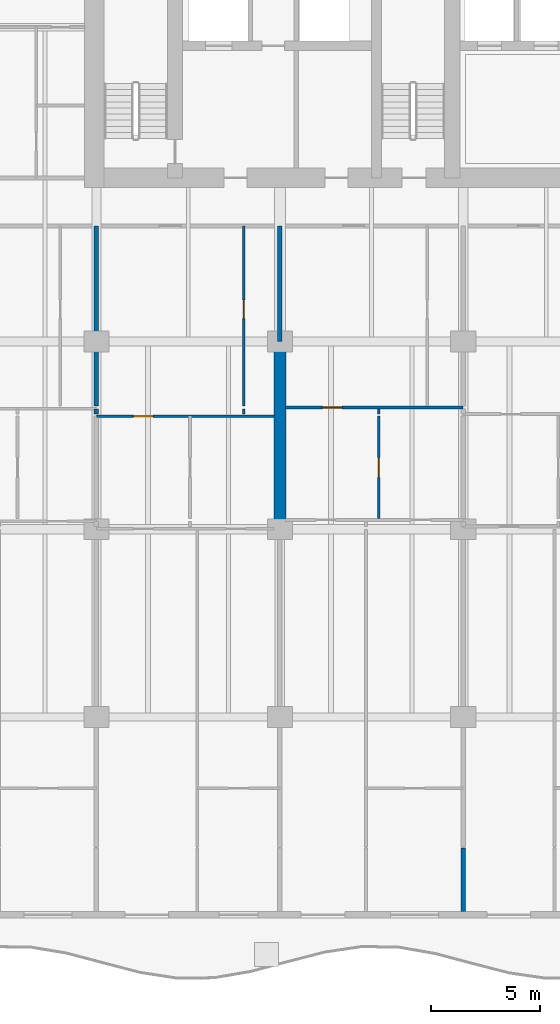
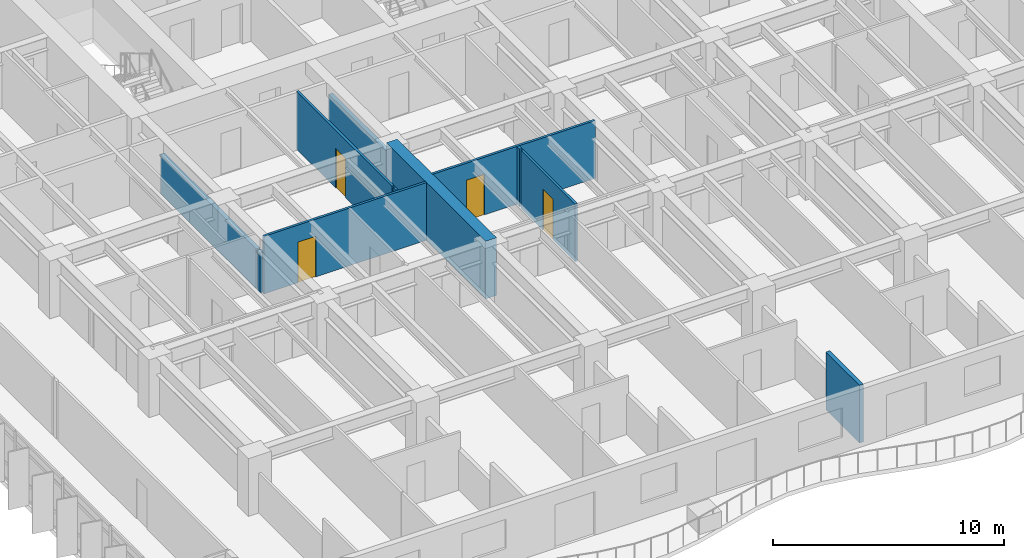
# One storey, part 7 of 18: 11 walls, 4 doors, 4 openings.
"""IFC4 building model written with IfcOpenShell, lengths in metres."""

from ifc_helpers import new_model, si_unit, direction, frame, frame_2d, origin, place, context, subcontext, project, spatial, rectangle, extrude, material, layer, layer_set, type_object, element, fill, save


model = new_model("IFC4")

# Units and contexts
model_context = context("Model", 3, precision=1e-05, world=origin(), true_north=direction((0.0, 1.0)))
body_context = subcontext(model_context, "Body", "Model", "MODEL_VIEW")
ifc_project = project(units=[si_unit("LENGTHUNIT", "METRE"), si_unit("AREAUNIT", "SQUARE_METRE"), si_unit("VOLUMEUNIT", "CUBIC_METRE"), si_unit("PLANEANGLEUNIT", "RADIAN"), si_unit("MASSUNIT", "GRAM", prefix="KILO")], contexts=[model_context])

# Site, building, storey
site_placement = place(None, origin())
site = spatial("IfcSite", under=ifc_project, at=site_placement, CompositionType="ELEMENT")
building_placement = place(site_placement, origin())
building = spatial("IfcBuilding", under=site, at=building_placement, Name="Caelmar Bay Residences", CompositionType="ELEMENT")
storey_placement = place(building_placement, frame((0.0, 0.0, 69.60009765625)))
storey = spatial("IfcBuildingStorey", under=building, at=storey_placement, Name="L18", CompositionType="ELEMENT", Elevation=69.60009765625)

# Walls
ifc_material_1 = material(Name="Concrete f'c 70 MPa (10,000 psi)", Category="concrete")
ifc_layer_1 = layer(ifc_material_1, 0.550048828125)
ifc_layer_set_1 = layer_set([ifc_layer_1], Name="Concrete f'c 70 MPa (10,000 psi)")
wall_type_1 = type_object("IfcWallType", Name="SW-XSLB-550", PredefinedType="SHEAR", material=ifc_layer_set_1)
wall_1_placement = place(storey_placement, frame((26.699951171875, 20.800048828125, 0.0), z_axis=(0.0, 0.0, 1.0), x_axis=(0.0, 1.0, 0.0)))
element("IfcWall", 1, at=wall_1_placement, inside=storey, type_object=wall_type_1, Name="L18 Transverse Cross-Slab Shear Wall W5", PredefinedType="SHEAR", context=body_context, shape_type="SweptSolid", body=[
    extrude(rectangle(XDim=8.599853515625, YDim=0.550048828125, at=frame_2d((4.2998046875, 0.0))), origin(), (0.0, 0.0, 1.0), 3.0498046875),
])
ifc_material_2 = material(Name="Acoustic metal-stud gypsum partition 120 mm")
ifc_layer_2 = layer(ifc_material_2, 0.1201171875)
ifc_layer_set_2 = layer_set([ifc_layer_2], Name="Acoustic metal-stud gypsum partition 120 mm")
wall_type_2 = type_object("IfcWallType", Name="W-PRT-120", PredefinedType="PARTITIONING", material=ifc_layer_set_2)
wall_2_placement = place(storey_placement, frame((25.050048828125, 26.080078125, 0.0), z_axis=(0.0, 0.0, 1.0), x_axis=(0.0, 1.0, 0.0)))
element("IfcWall", 2, at=wall_2_placement, inside=storey, type_object=wall_type_2, Name="L18 Partition Wall V033", PredefinedType="PARTITIONING", context=body_context, shape_type="SweptSolid", body=[
    extrude(rectangle(XDim=0.239990234375, YDim=0.1201171875, at=frame_2d((0.1201171875, 0.0))), origin(), (0.0, 0.0, 1.0), 3.0498046875),
])

# Wall, opening, door
wall_3_placement = place(storey_placement, frame((25.050048828125, 26.43994140625, 0.0), z_axis=(0.0, 0.0, 1.0), x_axis=(0.0, 1.0, 0.0)))
wall_3 = element("IfcWall", 3, at=wall_3_placement, inside=storey, type_object=wall_type_2, Name="L18 Partition Wall V034", PredefinedType="PARTITIONING", context=body_context, shape_type="SweptSolid", body=[
    extrude(rectangle(XDim=8.260009765625, YDim=0.1201171875, at=frame_2d((4.1298828125, 0.0))), origin(), (0.0, 0.0, 1.0), 3.0498046875),
])
opening_1_placement = place(wall_3_placement, frame((4.0048828125, 0.0, 0.0)))
opening_1 = element("IfcOpeningElement", 4, at=opening_1_placement, cuts=wall_3, Name="Opening D-L18-128", PredefinedType="OPENING", context=body_context, shape_type="SweptSolid", body=[
    extrude(rectangle(XDim=0.85009765625, YDim=2.10009765625, at=frame_2d((0.425048828125, 1.050048828125))), frame((0.0, 0.070068359375, 0.0), z_axis=(0.0, -1.0, 0.0), x_axis=(1.0, 0.0, 0.0)), (0.0, 0.0, 1.0), 0.14013671875),
])
ifc_material_3 = material(Name="Solid walnut timber interior door leaf and frame", Category="wood")
ifc_layer_3 = layer(ifc_material_3, 0.050048828125)
ifc_layer_set_3 = layer_set([ifc_layer_3], Name="Solid walnut timber interior door leaf and frame")
door_type_1 = type_object("IfcDoorType", Name="D-BATH-850", OperationType="NOTDEFINED", PredefinedType="DOOR", material=ifc_layer_set_3)
door_1_placement = place(opening_1_placement, origin())
door_1 = element("IfcDoor", 5, at=door_1_placement, inside=storey, type_object=door_type_1, Name="L18 Residence 02 Bathroom Door", OperationType="SINGLE_SWING_LEFT", OverallHeight=2.10009765625, OverallWidth=0.85009765625, PredefinedType="DOOR", context=body_context, shape_type="SweptSolid", body=[
    extrude(rectangle(XDim=0.85009765625, YDim=2.10009765625, at=frame_2d((0.425048828125, 1.050048828125))), frame((0.0, 0.02490234375, 0.0), z_axis=(0.0, -1.0, 0.0), x_axis=(1.0, 0.0, 0.0)), (0.0, 0.0, 1.0), 0.050048828125),
])
fill(opening_1, door_1)

wall_4_placement = place(storey_placement, frame((31.236083984375, 21.2900390625, 0.0), z_axis=(0.0, 0.0, 1.0), x_axis=(0.0, 1.0, 0.0)))
wall_4 = element("IfcWall", 6, at=wall_4_placement, inside=storey, type_object=wall_type_2, Name="L18 Partition Wall V044", PredefinedType="PARTITIONING", context=body_context, shape_type="SweptSolid", body=[
    extrude(rectangle(XDim=4.68994140625, YDim=0.1201171875, at=frame_2d((2.344970703125, 0.0))), origin(), (0.0, 0.0, 1.0), 3.0498046875),
])
opening_2_placement = place(wall_4_placement, frame((1.89501953125, 0.0, 0.0)))
opening_2 = element("IfcOpeningElement", 7, at=opening_2_placement, cuts=wall_4, Name="Opening D-L18-137", PredefinedType="OPENING", context=body_context, shape_type="SweptSolid", body=[
    extrude(rectangle(XDim=0.89990234375, YDim=2.14990234375, at=frame_2d((0.449951171875, 1.074951171875))), frame((0.0, 0.070068359375, 0.0), z_axis=(0.0, -1.0, 0.0), x_axis=(1.0, 0.0, 0.0)), (0.0, 0.0, 1.0), 0.14013671875),
])
ifc_layer_4 = layer(ifc_material_3, 0.050048828125)
ifc_layer_set_4 = layer_set([ifc_layer_4], Name="Solid walnut timber interior door leaf and frame")
door_type_2 = type_object("IfcDoorType", Name="D-ROOM-900", OperationType="NOTDEFINED", PredefinedType="DOOR", material=ifc_layer_set_4)
door_2_placement = place(opening_2_placement, origin())
door_2 = element("IfcDoor", 8, at=door_2_placement, inside=storey, type_object=door_type_2, Name="L18 Residence 03 Study Door", OperationType="SINGLE_SWING_RIGHT", OverallHeight=2.14990234375, OverallWidth=0.89990234375, PredefinedType="DOOR", context=body_context, shape_type="SweptSolid", body=[
    extrude(rectangle(XDim=0.89990234375, YDim=2.14990234375, at=frame_2d((0.449951171875, 1.074951171875))), frame((0.0, 0.02490234375, 0.0), z_axis=(0.0, -1.0, 0.0), x_axis=(1.0, 0.0, 0.0)), (0.0, 0.0, 1.0), 0.050048828125),
])
fill(opening_2, door_2)

# Wall
wall_5_placement = place(storey_placement, frame((31.236083984375, 26.080078125, 0.0), z_axis=(0.0, 0.0, 1.0), x_axis=(0.0, 1.0, 0.0)))
element("IfcWall", 9, at=wall_5_placement, inside=storey, type_object=wall_type_2, Name="L18 Partition Wall V045", PredefinedType="PARTITIONING", context=body_context, shape_type="SweptSolid", body=[
    extrude(rectangle(XDim=0.239990234375, YDim=0.1201171875, at=frame_2d((0.1201171875, 0.0))), origin(), (0.0, 0.0, 1.0), 3.0498046875),
])

# Wall, opening, door
wall_6_placement = place(storey_placement, frame((18.300048828125, 25.97998046875, 0.0), z_axis=(0.0, 0.0, 1.0), x_axis=(1.0, 0.0, 0.0)))
wall_6 = element("IfcWall", 10, at=wall_6_placement, inside=storey, type_object=wall_type_2, Name="L18 Partition Wall H131", PredefinedType="PARTITIONING", context=body_context, shape_type="SweptSolid", body=[
    extrude(rectangle(XDim=8.1298828125, YDim=0.1201171875, at=frame_2d((4.06494140625, 0.0))), origin(), (0.0, 0.0, 1.0), 3.0498046875),
])
opening_3_placement = place(wall_6_placement, frame((1.693115234375, 0.0, 0.0)))
opening_3 = element("IfcOpeningElement", 11, at=opening_3_placement, cuts=wall_6, Name="Opening D-L18-129", PredefinedType="OPENING", context=body_context, shape_type="SweptSolid", body=[
    extrude(rectangle(XDim=0.89990234375, YDim=2.14990234375, at=frame_2d((0.449951171875, 1.074951171875))), frame((0.0, 0.070068359375, 0.0), z_axis=(0.0, -1.0, 0.0), x_axis=(1.0, 0.0, 0.0)), (0.0, 0.0, 1.0), 0.14013671875),
])
door_3_placement = place(opening_3_placement, origin())
door_3 = element("IfcDoor", 12, at=door_3_placement, inside=storey, type_object=door_type_2, Name="L18 Residence 02 Kitchen Door", OperationType="SINGLE_SWING_RIGHT", OverallHeight=2.14990234375, OverallWidth=0.89990234375, PredefinedType="DOOR", context=body_context, shape_type="SweptSolid", body=[
    extrude(rectangle(XDim=0.89990234375, YDim=2.14990234375, at=frame_2d((0.449951171875, 1.074951171875))), frame((0.0, 0.02490234375, 0.0), z_axis=(0.0, -1.0, 0.0), x_axis=(1.0, 0.0, 0.0)), (0.0, 0.0, 1.0), 0.050048828125),
])
fill(opening_3, door_3)

wall_7_placement = place(storey_placement, frame((26.969970703125, 26.3798828125, 0.0), z_axis=(0.0, 0.0, 1.0), x_axis=(1.0, 0.0, 0.0)))
wall_7 = element("IfcWall", 13, at=wall_7_placement, inside=storey, type_object=wall_type_2, Name="L18 Partition Wall H136", PredefinedType="PARTITIONING", context=body_context, shape_type="SweptSolid", body=[
    extrude(rectangle(XDim=8.130126953125, YDim=0.1201171875, at=frame_2d((4.06494140625, 0.0))), origin(), (0.0, 0.0, 1.0), 3.0498046875),
])
opening_4_placement = place(wall_7_placement, frame((1.68310546875, 0.0, 0.0)))
opening_4 = element("IfcOpeningElement", 14, at=opening_4_placement, cuts=wall_7, Name="Opening D-L18-136", PredefinedType="OPENING", context=body_context, shape_type="SweptSolid", body=[
    extrude(rectangle(XDim=0.89990234375, YDim=2.14990234375, at=frame_2d((0.449951171875, 1.074951171875))), frame((0.0, 0.070068359375, 0.0), z_axis=(0.0, -1.0, 0.0), x_axis=(1.0, 0.0, 0.0)), (0.0, 0.0, 1.0), 0.14013671875),
])
door_4_placement = place(opening_4_placement, origin())
door_4 = element("IfcDoor", 15, at=door_4_placement, inside=storey, type_object=door_type_2, Name="L18 Residence 03 Kitchen Door", OperationType="SINGLE_SWING_LEFT", OverallHeight=2.14990234375, OverallWidth=0.89990234375, PredefinedType="DOOR", context=body_context, shape_type="SweptSolid", body=[
    extrude(rectangle(XDim=0.89990234375, YDim=2.14990234375, at=frame_2d((0.449951171875, 1.074951171875))), frame((0.0, 0.02490234375, 0.0), z_axis=(0.0, -1.0, 0.0), x_axis=(1.0, 0.0, 0.0)), (0.0, 0.0, 1.0), 0.050048828125),
])
fill(opening_4, door_4)

# Walls
ifc_material_4 = material(Name="Acoustic twin-stud fire-rated inter-tenancy partition 200 mm")
ifc_layer_5 = layer(ifc_material_4, 0.199951171875)
ifc_layer_set_5 = layer_set([ifc_layer_5], Name="Acoustic twin-stud fire-rated inter-tenancy partition 200 mm")
wall_type_3 = type_object("IfcWallType", Name="W-PTY-200", PredefinedType="PARTITIONING", material=ifc_layer_set_5)
wall_8_placement = place(storey_placement, frame((18.300048828125, 26.080078125, 0.0), z_axis=(0.0, 0.0, 1.0), x_axis=(0.0, 1.0, 0.0)))
element("IfcWall", 16, at=wall_8_placement, inside=storey, type_object=wall_type_3, Name="L18 Partition Wall V026", PredefinedType="PARTITIONING", context=body_context, shape_type="SweptSolid", body=[
    extrude(rectangle(XDim=0.239990234375, YDim=0.199951171875, at=frame_2d((0.1201171875, 0.0))), origin(), (0.0, 0.0, 1.0), 2.10986328125),
])
wall_9_placement = place(storey_placement, frame((18.300048828125, 26.43994140625, 0.0), z_axis=(0.0, 0.0, 1.0), x_axis=(0.0, 1.0, 0.0)))
element("IfcWall", 17, at=wall_9_placement, inside=storey, type_object=wall_type_3, Name="L18 Partition Wall V027", PredefinedType="PARTITIONING", context=body_context, shape_type="SweptSolid", body=[
    extrude(rectangle(XDim=8.260009765625, YDim=0.199951171875, at=frame_2d((4.1298828125, 0.0))), origin(), (0.0, 0.0, 1.0), 2.10986328125),
])
wall_10_placement = place(storey_placement, frame((26.699951171875, 29.405029296875, 0.0), z_axis=(0.0, 0.0, 1.0), x_axis=(0.0, 1.0, 0.0)))
element("IfcWall", 18, at=wall_10_placement, inside=storey, type_object=wall_type_3, Name="L18 Partition Wall V038", PredefinedType="PARTITIONING", context=body_context, shape_type="SweptSolid", body=[
    extrude(rectangle(XDim=5.294921875, YDim=0.199951171875, at=frame_2d((2.6474609375, 0.0))), origin(), (0.0, 0.0, 1.0), 2.3349609375),
])
wall_11_placement = place(storey_placement, frame((35.10009765625, 3.294921875, 0.0), z_axis=(0.0, 0.0, 1.0), x_axis=(0.0, 1.0, 0.0)))
element("IfcWall", 19, at=wall_11_placement, inside=storey, type_object=wall_type_3, Name="L18 Partition Wall V047", PredefinedType="PARTITIONING", context=body_context, shape_type="SweptSolid", body=[
    extrude(rectangle(XDim=2.905029296875, YDim=0.199951171875, at=frame_2d((1.45263671875, 0.0))), origin(), (0.0, 0.0, 1.0), 3.0498046875),
])

save(model, "model.ifc")
